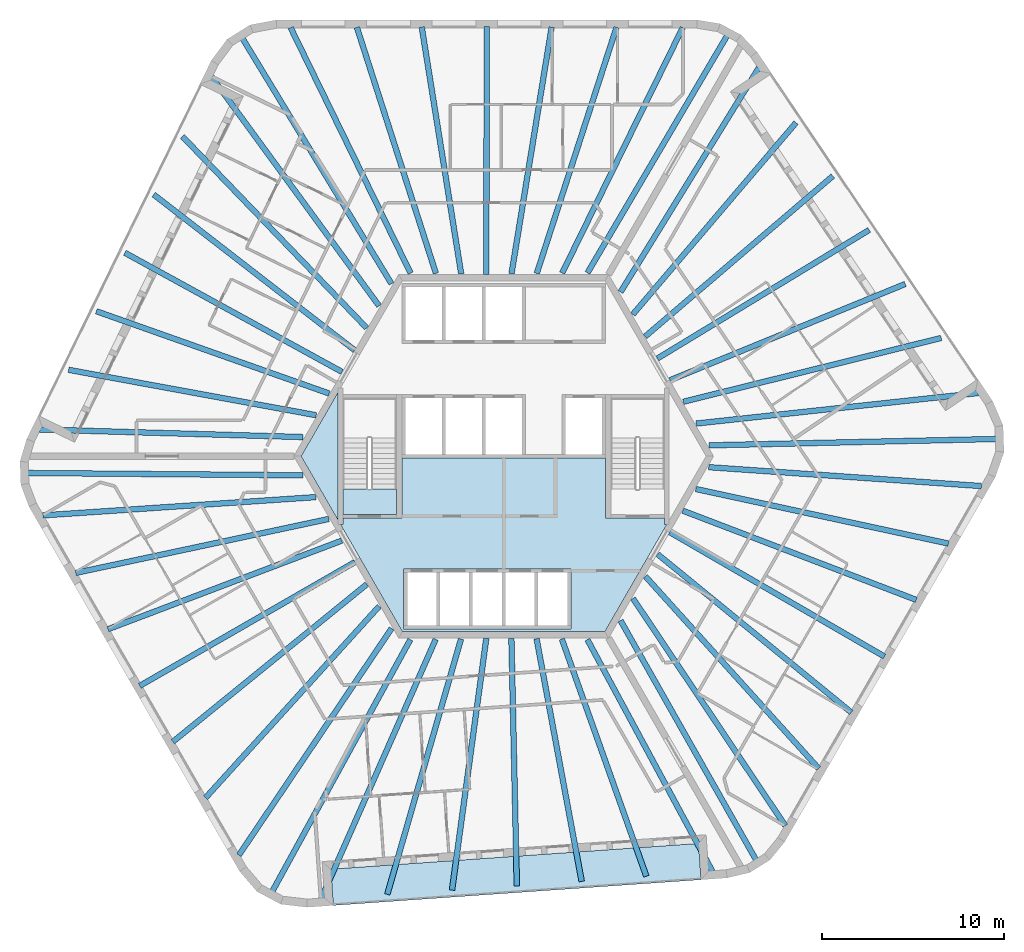
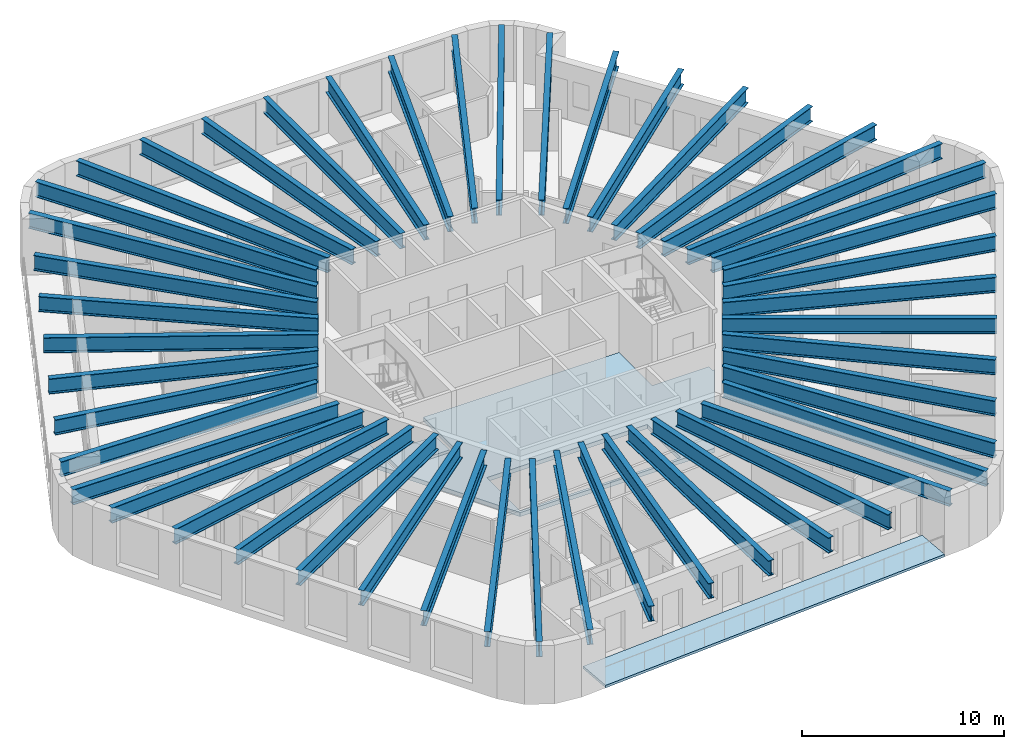
# One storey, part 1 of 11: 48 beams, 4 slabs.
"""IFC4 building model written with IfcOpenShell, lengths in metres."""

import ifcopenshell
import ifcopenshell.guid

model = None  # the IFC model being written
_history = None  # IfcOwnerHistory: only IFC2X3 demands one
_inside = {}  # id of a spatial element -> (the spatial element, [elements in it])
_under = {}  # id of a project, library or spatial element -> (it, [spatial elements below it])
_declared = {}  # id of a project -> (the project, [libraries it declares])
_typed = {}  # id of a type object -> (the type object, [elements of that type])
_made_of = {}  # id of a material, layer set ... -> (it, [elements and type objects made of it])


def new_model(schema):
    """Start an empty IFC model of exactly this schema.

    Asked for "IFC4X3", IfcOpenShell would pick the latest addendum, in which some entities
    have other attributes; the version numbers below select the first issue.
    IFC2X3 requires an IfcOwnerHistory on every rooted entity: one is made here for all.
    """
    global model, _history
    if schema == "IFC4X3":
        model = ifcopenshell.file(schema_version=(4, 3, 0, 0))
    else:
        model = ifcopenshell.file(schema=schema)
    _inside.clear()
    _under.clear()
    _declared.clear()
    _typed.clear()
    _made_of.clear()
    _history = None
    if model.schema == "IFC2X3":
        org = make("IfcOrganization", Name="unknown")
        user = make(
            "IfcPersonAndOrganization",
            ThePerson=make("IfcPerson", FamilyName="unknown"),
            TheOrganization=org,
        )
        app = make(
            "IfcApplication",
            ApplicationDeveloper=org,
            Version="unknown",
            ApplicationFullName="unknown",
            ApplicationIdentifier="unknown",
        )
        _history = make(
            "IfcOwnerHistory",
            OwningUser=user,
            OwningApplication=app,
            ChangeAction="ADDED",
            CreationDate=0,
        )
    return model


def make(cls, **values):
    """One entity of the class cls with the attributes given. An attribute that is None is left unset."""
    return model.create_entity(
        cls, **{name: value for name, value in values.items() if value is not None}
    )


def rooted(cls, **values):
    """An entity with a GlobalId (a new one), such as an element, a storey or a relation."""
    return make(cls, GlobalId=ifcopenshell.guid.new(), OwnerHistory=_history, **values)


def si_unit(unit_type, name, prefix=None):
    """IfcSIUnit, for example si_unit("LENGTHUNIT", "METRE", prefix="MILLI")."""
    return make("IfcSIUnit", UnitType=unit_type, Prefix=prefix, Name=name)


def assignment(units):
    """IfcUnitAssignment: the units of a project."""
    return None if units is None else make("IfcUnitAssignment", Units=units)


def point(xyz):
    """IfcCartesianPoint."""
    return None if xyz is None else make("IfcCartesianPoint", Coordinates=xyz)


def direction(xyz):
    """IfcDirection."""
    return None if xyz is None else make("IfcDirection", DirectionRatios=xyz)


def frame(location, z_axis=None, x_axis=None):
    """IfcAxis2Placement3D, a coordinate frame: its origin and axes. An axis left out is left unset."""
    return make(
        "IfcAxis2Placement3D",
        Location=point(location),
        Axis=direction(z_axis),
        RefDirection=direction(x_axis),
    )


def frame_2d(location, x_axis=None):
    """IfcAxis2Placement2D, a coordinate frame in the plane: its origin and x axis."""
    return make(
        "IfcAxis2Placement2D", Location=point(location), RefDirection=direction(x_axis)
    )


def origin():
    """The frame at (0, 0, 0) with its axes left unset."""
    return frame((0.0, 0.0, 0.0))


def origin_2d():
    """The frame at (0, 0) in the plane with its x axis left unset."""
    return frame_2d((0.0, 0.0))


def place(relative_to, where):
    """IfcLocalPlacement: puts the frame where relative to a parent placement (None: the world)."""
    return make(
        "IfcLocalPlacement", PlacementRelTo=relative_to, RelativePlacement=where
    )


def context(
    kind, dimensions, precision=None, world=None, true_north=None, identifier=None
):
    """IfcGeometricRepresentationContext, for example the 3D "Model" context."""
    return make(
        "IfcGeometricRepresentationContext",
        ContextIdentifier=identifier,
        ContextType=kind,
        CoordinateSpaceDimension=dimensions,
        Precision=precision,
        WorldCoordinateSystem=world,
        TrueNorth=true_north,
    )


def subcontext(parent, identifier, kind, view, scale=None):
    """IfcGeometricRepresentationSubContext, for example "Body" below "Model"."""
    return make(
        "IfcGeometricRepresentationSubContext",
        ContextIdentifier=identifier,
        ContextType=kind,
        ParentContext=parent,
        TargetScale=scale,
        TargetView=view,
    )


def project(units=None, contexts=None):
    """IfcProject with its units and contexts."""
    return rooted(
        "IfcProject",
        Name="project",
        RepresentationContexts=contexts,
        UnitsInContext=assignment(units),
    )


def spatial(cls, under=None, at=None, **own):
    """A site, building, storey or space (cls), placed at a placement, below another one or the project."""
    s = rooted(cls, ObjectPlacement=at, **own)
    if under is not None:
        _under.setdefault(under.id(), (under, []))[1].append(s)
    return s


def polyline(points):
    """IfcPolyline through the points."""
    return make("IfcPolyline", Points=[point(p) for p in points])


def profile(cls, at=None, kind="AREA", **sizes):
    """A parametric profile (cls). Its sizes go by their IFC names, for example OverallWidth=200.0."""
    return make(cls, ProfileType=kind, Position=at, **sizes)


def i_section(**sizes):
    """IfcIShapeProfileDef."""
    return profile("IfcIShapeProfileDef", **sizes)


def outline(outer, holes=None, kind="AREA"):
    """IfcArbitraryClosedProfileDef: a profile drawn as a closed curve; with holes, ...WithVoids."""
    if holes is None:
        return make("IfcArbitraryClosedProfileDef", ProfileType=kind, OuterCurve=outer)
    return make(
        "IfcArbitraryProfileDefWithVoids",
        ProfileType=kind,
        OuterCurve=outer,
        InnerCurves=holes,
    )


def extrude(swept, where, along, depth):
    """IfcExtrudedAreaSolid: the profile swept, set in the frame where, extruded along a direction by depth."""
    return make(
        "IfcExtrudedAreaSolid",
        SweptArea=swept,
        Position=where,
        ExtrudedDirection=direction(along),
        Depth=depth,
    )


def shape(context_of_items, identifier, shape_type, items):
    """IfcShapeRepresentation: the items that make up one representation, for example the "Body"."""
    return make(
        "IfcShapeRepresentation",
        ContextOfItems=context_of_items,
        RepresentationIdentifier=identifier,
        RepresentationType=shape_type,
        Items=items,
    )


def material(Name=None, Category=None):
    """IfcMaterial."""
    return make("IfcMaterial", Name=Name, Category=Category)


def layer(
    of_material, thickness, ventilated=None, Name=None, Category=None, Priority=None
):
    """IfcMaterialLayer: one layer of a wall or slab, of a material (None: an air gap)."""
    return make(
        "IfcMaterialLayer",
        Material=of_material,
        LayerThickness=thickness,
        IsVentilated=ventilated,
        Name=Name,
        Category=Category,
        Priority=Priority,
    )


def layer_set(layers, Name=None):
    """IfcMaterialLayerSet."""
    return make("IfcMaterialLayerSet", MaterialLayers=layers, LayerSetName=Name)


def material_profile(
    of_material, cross_section, Name=None, Category=None, Priority=None
):
    """IfcMaterialProfile: a cross section and its material."""
    return make(
        "IfcMaterialProfile",
        Name=Name,
        Material=of_material,
        Profile=cross_section,
        Priority=Priority,
        Category=Category,
    )


def profile_set(profiles, Name=None, composite=None):
    """IfcMaterialProfileSet."""
    return make(
        "IfcMaterialProfileSet",
        Name=Name,
        MaterialProfiles=profiles,
        CompositeProfile=composite,
    )


def made_of(thing, what):
    """Note that an element or type object is made of a material, layer set ...; save() writes the relation."""
    if what is not None:
        _made_of.setdefault(what.id(), (what, []))[1].append(thing)
    return thing


def type_object(cls, material=None, **own):
    """A type object (cls), such as IfcWallType, which elements share."""
    return made_of(rooted(cls, **own), material)


def element(
    cls,
    number,
    at=None,
    inside=None,
    cuts=None,
    type_object=None,
    material=None,
    context=None,
    identifier="Body",
    shape_type=None,
    held_by="IfcProductDefinitionShape",
    body=None,
    shapes=None,
    **own,
):
    """One element of the class cls, such as IfcWall. Its Tag is "e" and its number.

    at: its placement. inside: the storey or other place that contains it. cuts: it is an
    opening in that element (IfcRelVoidsElement). A single representation is given by context,
    identifier, shape_type and body (its items); several are given by shapes. held_by: the class
    of the entity that holds the representations. save() writes the other relations.
    """
    e = rooted(cls, Tag="e%d" % number, ObjectPlacement=at, **own)
    if body is not None:
        shapes = [shape(context, identifier, shape_type, body)]
    if shapes is not None:
        e.Representation = make(held_by, Representations=shapes)
    if inside is not None:
        _inside.setdefault(inside.id(), (inside, []))[1].append(e)
    if cuts is not None:
        rooted(
            "IfcRelVoidsElement", RelatingBuildingElement=cuts, RelatedOpeningElement=e
        )
    if type_object is not None:
        _typed.setdefault(type_object.id(), (type_object, []))[1].append(e)
    return made_of(e, material)


def aggregate(whole, parts):
    """IfcRelAggregates: a whole, such as a stair, and the parts it consists of."""
    return rooted("IfcRelAggregates", RelatingObject=whole, RelatedObjects=parts)


def save(model, path):
    """Write the relations noted so far, then the file.

    IfcRelAggregates (storeys below a building ...), IfcRelContainedInSpatialStructure (elements
    in a storey), IfcRelDefinesByType, IfcRelAssociatesMaterial and IfcRelDeclares: one each for
    every whole, place, type object, material and project.
    """
    for whole, parts in _under.values():
        aggregate(whole, parts)
    for where, things in _inside.values():
        rooted(
            "IfcRelContainedInSpatialStructure",
            RelatedElements=things,
            RelatingStructure=where,
        )
    for kind, things in _typed.values():
        rooted("IfcRelDefinesByType", RelatedObjects=things, RelatingType=kind)
    for what, things in _made_of.values():
        rooted("IfcRelAssociatesMaterial", RelatedObjects=things, RelatingMaterial=what)
    for by, libraries in _declared.values():
        rooted("IfcRelDeclares", RelatingContext=by, RelatedDefinitions=libraries)
    model.write(path)


model = new_model("IFC4")

# Units and contexts
model_context = context("Model", 3, precision=1e-05, world=origin(), true_north=direction((0.0, 1.0)))
body_context = subcontext(model_context, "Body", "Model", "MODEL_VIEW")
ifc_project = project(units=[si_unit("LENGTHUNIT", "METRE"), si_unit("AREAUNIT", "SQUARE_METRE"), si_unit("VOLUMEUNIT", "CUBIC_METRE"), si_unit("PLANEANGLEUNIT", "RADIAN"), si_unit("MASSUNIT", "GRAM", prefix="KILO")], contexts=[model_context])

# Site, building, storey
site_placement = place(None, origin())
site = spatial("IfcSite", under=ifc_project, at=site_placement, CompositionType="ELEMENT")
building_placement = place(site_placement, origin())
building = spatial("IfcBuilding", under=site, at=building_placement, Name="Tarnside Tower", CompositionType="ELEMENT")
storey_placement = place(building_placement, frame((0.0, 0.0, 372.89990234375)))
storey = spatial("IfcBuildingStorey", under=building, at=storey_placement, Name="L90", CompositionType="ELEMENT", Elevation=372.89990234375)

# Beams
ifc_material_1 = material(Name="Steel S355", Category="steel")
ifc_material_profile = material_profile(ifc_material_1, i_section(OverallWidth=0.3076171875, OverallDepth=0.926513671875, WebThickness=0.01953125, FlangeThickness=0.031982421875, FilletRadius=0.01904296875, at=origin_2d()), Name="UB 914x305x289")
ifc_profile_set = profile_set([ifc_material_profile], Name="Steel S355")
beam_type = type_object("IfcBeamType", Name="Floor beam UB 914x305x289", PredefinedType="BEAM", material=ifc_profile_set)
beam_1_placement = place(storey_placement, frame((9.85693359375, 23.583251953125, 2.936767578125), z_axis=(-0.441034060351, -0.897490366305, 0.0), x_axis=(0.897490366305, -0.441034060351, 0.0)))
element("IfcBeam", 1, at=beam_1_placement, inside=storey, type_object=beam_type, Name="Floor beam F1.01", PredefinedType="BEAM", context=body_context, shape_type="SweptSolid", body=[
    extrude(i_section(OverallWidth=0.3076171875, OverallDepth=0.926513671875, WebThickness=0.01953125, FlangeThickness=0.031982421875, FilletRadius=0.01904296875, at=origin_2d()), origin(), (0.0, 0.0, 1.0), 15.0546875),
])
beam_2_placement = place(storey_placement, frame((6.2109375, 23.597900390625, 2.936767578125), z_axis=(-0.30830293966, -0.951288230452, 0.0), x_axis=(0.951288230452, -0.30830293966, 0.0)))
element("IfcBeam", 2, at=beam_2_placement, inside=storey, type_object=beam_type, Name="Floor beam F1.02", PredefinedType="BEAM", context=body_context, shape_type="SweptSolid", body=[
    extrude(i_section(OverallWidth=0.3076171875, OverallDepth=0.926513671875, WebThickness=0.01953125, FlangeThickness=0.031982421875, FilletRadius=0.01904296875, at=origin_2d()), origin(), (0.0, 0.0, 1.0), 14.234130859375),
])
beam_3_placement = place(storey_placement, frame((2.642333984375, 23.615478515625, 2.936767578125), z_axis=(-0.160635791126, -0.98701374996, 0.0), x_axis=(0.98701374996, -0.160635791126, 0.0)))
element("IfcBeam", 3, at=beam_3_placement, inside=storey, type_object=beam_type, Name="Floor beam F1.03", PredefinedType="BEAM", context=body_context, shape_type="SweptSolid", body=[
    extrude(i_section(OverallWidth=0.3076171875, OverallDepth=0.926513671875, WebThickness=0.01953125, FlangeThickness=0.031982421875, FilletRadius=0.01904296875, at=origin_2d()), origin(), (0.0, 0.0, 1.0), 13.754638671875),
])
beam_4_placement = place(storey_placement, frame((-0.931884765625, 23.655029296875, 2.936767578125), z_axis=(-0.001430332341, -0.999998977074, 0.0), x_axis=(0.999998977074, -0.001430332341, 0.0)))
element("IfcBeam", 4, at=beam_4_placement, inside=storey, type_object=beam_type, Name="Floor beam F1.04", PredefinedType="BEAM", context=body_context, shape_type="SweptSolid", body=[
    extrude(i_section(OverallWidth=0.3076171875, OverallDepth=0.926513671875, WebThickness=0.01953125, FlangeThickness=0.031982421875, FilletRadius=0.01904296875, at=origin_2d()), origin(), (0.0, 0.0, 1.0), 13.655029296875),
])
beam_5_placement = place(storey_placement, frame((-4.506103515625, 23.615478515625, 2.936767578125), z_axis=(0.157884535209, -0.987457580629, 0.0), x_axis=(0.987457580629, 0.157884535209, 0.0)))
element("IfcBeam", 5, at=beam_5_placement, inside=storey, type_object=beam_type, Name="Floor beam F1.05", PredefinedType="BEAM", context=body_context, shape_type="SweptSolid", body=[
    extrude(i_section(OverallWidth=0.3076171875, OverallDepth=0.926513671875, WebThickness=0.01953125, FlangeThickness=0.031982421875, FilletRadius=0.01904296875, at=origin_2d()), origin(), (0.0, 0.0, 1.0), 13.748291015625),
])
beam_6_placement = place(storey_placement, frame((-8.07470703125, 23.597900390625, 2.936767578125), z_axis=(0.305831917368, -0.952085520486, 0.0), x_axis=(0.952085520486, 0.305831917368, 0.0)))
element("IfcBeam", 6, at=beam_6_placement, inside=storey, type_object=beam_type, Name="Floor beam F1.06", PredefinedType="BEAM", context=body_context, shape_type="SweptSolid", body=[
    extrude(i_section(OverallWidth=0.3076171875, OverallDepth=0.926513671875, WebThickness=0.01953125, FlangeThickness=0.031982421875, FilletRadius=0.01904296875, at=origin_2d()), origin(), (0.0, 0.0, 1.0), 14.22216796875),
])
beam_7_placement = place(storey_placement, frame((-11.720703125, 23.5830078125, 2.936767578125), z_axis=(0.438979492364, -0.8984970814, 0.0), x_axis=(0.8984970814, 0.438979492364, 0.0)))
element("IfcBeam", 7, at=beam_7_placement, inside=storey, type_object=beam_type, Name="Floor beam F1.07", PredefinedType="BEAM", context=body_context, shape_type="SweptSolid", body=[
    extrude(i_section(OverallWidth=0.3076171875, OverallDepth=0.926513671875, WebThickness=0.01953125, FlangeThickness=0.031982421875, FilletRadius=0.01904296875, at=origin_2d()), origin(), (0.0, 0.0, 1.0), 15.037353515625),
])
beam_8_placement = place(storey_placement, frame((-14.40087890625, 23.04345703125, 2.936767578125), z_axis=(0.519046028044, -0.854746290294, 0.0), x_axis=(0.854746290294, 0.519046028044, 0.0)))
element("IfcBeam", 8, at=beam_8_placement, inside=storey, type_object=beam_type, Name="Floor beam C1", PredefinedType="BEAM", context=body_context, shape_type="SweptSolid", body=[
    extrude(i_section(OverallWidth=0.3076171875, OverallDepth=0.926513671875, WebThickness=0.01953125, FlangeThickness=0.031982421875, FilletRadius=0.01904296875, at=origin_2d()), origin(), (0.0, 0.0, 1.0), 15.85791015625),
])
beam_9_placement = place(storey_placement, frame((-16.0625, 20.866943359375, 2.936767578125), z_axis=(0.59029318697, -0.807188920524, 0.0), x_axis=(0.807188920524, 0.59029318697, 0.0)))
element("IfcBeam", 9, at=beam_9_placement, inside=storey, type_object=beam_type, Name="Floor beam F2.01", PredefinedType="BEAM", context=body_context, shape_type="SweptSolid", body=[
    extrude(i_section(OverallWidth=0.3076171875, OverallDepth=0.926513671875, WebThickness=0.01953125, FlangeThickness=0.031982421875, FilletRadius=0.01904296875, at=origin_2d()), origin(), (0.0, 0.0, 1.0), 15.599853515625),
])
beam_10_placement = place(storey_placement, frame((-17.674072265625, 17.595703125, 2.936767578125), z_axis=(0.693340617436, -0.72061001118, 0.0), x_axis=(0.72061001118, 0.693340617436, 0.0)))
element("IfcBeam", 10, at=beam_10_placement, inside=storey, type_object=beam_type, Name="Floor beam F2.02", PredefinedType="BEAM", context=body_context, shape_type="SweptSolid", body=[
    extrude(i_section(OverallWidth=0.3076171875, OverallDepth=0.926513671875, WebThickness=0.01953125, FlangeThickness=0.031982421875, FilletRadius=0.01904296875, at=origin_2d()), origin(), (0.0, 0.0, 1.0), 14.6201171875),
])
beam_11_placement = place(storey_placement, frame((-19.25390625, 14.395751953125, 2.936767578125), z_axis=(0.790652803643, -0.612264766333, 0.0), x_axis=(0.612264766333, 0.790652803643, 0.0)))
element("IfcBeam", 11, at=beam_11_placement, inside=storey, type_object=beam_type, Name="Floor beam F2.03", PredefinedType="BEAM", context=body_context, shape_type="SweptSolid", body=[
    extrude(i_section(OverallWidth=0.3076171875, OverallDepth=0.926513671875, WebThickness=0.01953125, FlangeThickness=0.031982421875, FilletRadius=0.01904296875, at=origin_2d()), origin(), (0.0, 0.0, 1.0), 13.980224609375),
])
beam_12_placement = place(storey_placement, frame((-20.837646484375, 11.192138671875, 2.936767578125), z_axis=(0.876799005399, -0.48085705166, 0.0), x_axis=(0.48085705166, 0.876799005399, 0.0)))
element("IfcBeam", 12, at=beam_12_placement, inside=storey, type_object=beam_type, Name="Floor beam F2.04", PredefinedType="BEAM", context=body_context, shape_type="SweptSolid", body=[
    extrude(i_section(OverallWidth=0.3076171875, OverallDepth=0.926513671875, WebThickness=0.01953125, FlangeThickness=0.031982421875, FilletRadius=0.01904296875, at=origin_2d()), origin(), (0.0, 0.0, 1.0), 13.625244140625),
])
beam_13_placement = place(storey_placement, frame((-22.40576171875, 7.97705078125, 2.936767578125), z_axis=(0.942840573103, -0.3332441353, 0.0), x_axis=(0.3332441353, 0.942840573103, 0.0)))
element("IfcBeam", 13, at=beam_13_placement, inside=storey, type_object=beam_type, Name="Floor beam F2.05", PredefinedType="BEAM", context=body_context, shape_type="SweptSolid", body=[
    extrude(i_section(OverallWidth=0.3076171875, OverallDepth=0.926513671875, WebThickness=0.01953125, FlangeThickness=0.031982421875, FilletRadius=0.01904296875, at=origin_2d()), origin(), (0.0, 0.0, 1.0), 13.58203125),
])
beam_14_placement = place(storey_placement, frame((-23.935302734375, 4.7548828125, 2.936767578125), z_axis=(0.983582999256, -0.180456320409, 0.0), x_axis=(0.180456320409, 0.983582999256, 0.0)))
element("IfcBeam", 14, at=beam_14_placement, inside=storey, type_object=beam_type, Name="Floor beam F2.06", PredefinedType="BEAM", context=body_context, shape_type="SweptSolid", body=[
    extrude(i_section(OverallWidth=0.3076171875, OverallDepth=0.926513671875, WebThickness=0.01953125, FlangeThickness=0.031982421875, FilletRadius=0.01904296875, at=origin_2d()), origin(), (0.0, 0.0, 1.0), 13.852294921875),
])
beam_15_placement = place(storey_placement, frame((-25.51953125, 1.471923828125, 2.936767578125), z_axis=(0.999584115748, -0.028837398362, 0.0), x_axis=(0.028837398362, 0.999584115748, 0.0)))
element("IfcBeam", 15, at=beam_15_placement, inside=storey, type_object=beam_type, Name="Floor beam F2.07", PredefinedType="BEAM", context=body_context, shape_type="SweptSolid", body=[
    extrude(i_section(OverallWidth=0.3076171875, OverallDepth=0.926513671875, WebThickness=0.01953125, FlangeThickness=0.031982421875, FilletRadius=0.01904296875, at=origin_2d()), origin(), (0.0, 0.0, 1.0), 14.485595703125),
])
beam_16_placement = place(storey_placement, frame((-26.22021484375, -0.921630859375, 2.936767578125), z_axis=(0.999964083473, -0.008475362218, 0.0), x_axis=(0.008475362218, 0.999964083473, 0.0)))
element("IfcBeam", 16, at=beam_16_placement, inside=storey, type_object=beam_type, Name="Floor beam C2", PredefinedType="BEAM", context=body_context, shape_type="SweptSolid", body=[
    extrude(i_section(OverallWidth=0.3076171875, OverallDepth=0.926513671875, WebThickness=0.01953125, FlangeThickness=0.031982421875, FilletRadius=0.01904296875, at=origin_2d()), origin(), (0.0, 0.0, 1.0), 15.1806640625),
])
beam_17_placement = place(storey_placement, frame((-25.352294921875, -3.255126953125, 2.936767578125), z_axis=(0.997767686988, 0.066780557073, 0.0), x_axis=(-0.066780557073, 0.997767686988, 0.0)))
element("IfcBeam", 17, at=beam_17_placement, inside=storey, type_object=beam_type, Name="Floor beam F3.01", PredefinedType="BEAM", context=body_context, shape_type="SweptSolid", body=[
    extrude(i_section(OverallWidth=0.3076171875, OverallDepth=0.926513671875, WebThickness=0.01953125, FlangeThickness=0.031982421875, FilletRadius=0.01904296875, at=origin_2d()), origin(), (0.0, 0.0, 1.0), 15.054931640625),
])
beam_18_placement = place(storey_placement, frame((-23.5419921875, -6.420166015625, 2.936767578125), z_axis=(0.977990269865, 0.208650502155, 0.0), x_axis=(-0.208650502155, 0.977990269865, 0.0)))
element("IfcBeam", 18, at=beam_18_placement, inside=storey, type_object=beam_type, Name="Floor beam F3.02", PredefinedType="BEAM", context=body_context, shape_type="SweptSolid", body=[
    extrude(i_section(OverallWidth=0.3076171875, OverallDepth=0.926513671875, WebThickness=0.01953125, FlangeThickness=0.031982421875, FilletRadius=0.01904296875, at=origin_2d()), origin(), (0.0, 0.0, 1.0), 14.234130859375),
])
beam_19_placement = place(storey_placement, frame((-21.77294921875, -9.519287109375, 2.936767578125), z_axis=(0.935104645744, 0.354371699643, 0.0), x_axis=(-0.354371699643, 0.935104645744, 0.0)))
element("IfcBeam", 19, at=beam_19_placement, inside=storey, type_object=beam_type, Name="Floor beam F3.03", PredefinedType="BEAM", context=body_context, shape_type="SweptSolid", body=[
    extrude(i_section(OverallWidth=0.3076171875, OverallDepth=0.926513671875, WebThickness=0.01953125, FlangeThickness=0.031982421875, FilletRadius=0.01904296875, at=origin_2d()), origin(), (0.0, 0.0, 1.0), 13.754638671875),
])
beam_20_placement = place(storey_placement, frame((-20.02001953125, -12.634521484375, 2.936767578125), z_axis=(0.866742850435, 0.498755281896, 0.0), x_axis=(-0.498755281896, 0.866742850435, 0.0)))
element("IfcBeam", 20, at=beam_20_placement, inside=storey, type_object=beam_type, Name="Floor beam F3.04", PredefinedType="BEAM", context=body_context, shape_type="SweptSolid", body=[
    extrude(i_section(OverallWidth=0.3076171875, OverallDepth=0.926513671875, WebThickness=0.01953125, FlangeThickness=0.031982421875, FilletRadius=0.01904296875, at=origin_2d()), origin(), (0.0, 0.0, 1.0), 13.655029296875),
])
beam_21_placement = place(storey_placement, frame((-18.198486328125, -15.710205078125, 2.936767578125), z_axis=(0.776218278583, 0.630464260679, 0.0), x_axis=(-0.630464260679, 0.776218278583, 0.0)))
element("IfcBeam", 21, at=beam_21_placement, inside=storey, type_object=beam_type, Name="Floor beam F3.05", PredefinedType="BEAM", context=body_context, shape_type="SweptSolid", body=[
    extrude(i_section(OverallWidth=0.3076171875, OverallDepth=0.926513671875, WebThickness=0.01953125, FlangeThickness=0.031982421875, FilletRadius=0.01904296875, at=origin_2d()), origin(), (0.0, 0.0, 1.0), 13.74853515625),
])
beam_22_placement = place(storey_placement, frame((-16.39892578125, -18.791748046875, 2.936767578125), z_axis=(0.671616029188, 0.740899392183, 0.0), x_axis=(-0.740899392183, 0.671616029188, 0.0)))
element("IfcBeam", 22, at=beam_22_placement, inside=storey, type_object=beam_type, Name="Floor beam F3.06", PredefinedType="BEAM", context=body_context, shape_type="SweptSolid", body=[
    extrude(i_section(OverallWidth=0.3076171875, OverallDepth=0.926513671875, WebThickness=0.01953125, FlangeThickness=0.031982421875, FilletRadius=0.01904296875, at=origin_2d()), origin(), (0.0, 0.0, 1.0), 14.22216796875),
])
beam_23_placement = place(storey_placement, frame((-14.563232421875, -21.94189453125, 2.936767578125), z_axis=(0.558646652055, 0.829405762065, 0.0), x_axis=(-0.829405762065, 0.558646652055, 0.0)))
element("IfcBeam", 23, at=beam_23_placement, inside=storey, type_object=beam_type, Name="Floor beam F3.07", PredefinedType="BEAM", context=body_context, shape_type="SweptSolid", body=[
    extrude(i_section(OverallWidth=0.3076171875, OverallDepth=0.926513671875, WebThickness=0.01953125, FlangeThickness=0.031982421875, FilletRadius=0.01904296875, at=origin_2d()), origin(), (0.0, 0.0, 1.0), 15.037353515625),
])
beam_24_placement = place(storey_placement, frame((-12.755859375, -23.993408203125, 2.936767578125), z_axis=(0.480702029321, 0.876884005446, 0.0), x_axis=(-0.876884005446, 0.480702029321, 0.0)))
element("IfcBeam", 24, at=beam_24_placement, inside=storey, type_object=beam_type, Name="Floor beam C3", PredefinedType="BEAM", context=body_context, shape_type="SweptSolid", body=[
    extrude(i_section(OverallWidth=0.3076171875, OverallDepth=0.926513671875, WebThickness=0.01953125, FlangeThickness=0.031982421875, FilletRadius=0.01904296875, at=origin_2d()), origin(), (0.0, 0.0, 1.0), 15.858154296875),
])
beam_25_placement = place(storey_placement, frame((-10.0400390625, -24.343994140625, 2.936767578125), z_axis=(0.403901042387, 0.914802682527, 0.0), x_axis=(-0.914802682527, 0.403901042387, 0.0)))
element("IfcBeam", 25, at=beam_25_placement, inside=storey, type_object=beam_type, Name="Floor beam F4.01", PredefinedType="BEAM", context=body_context, shape_type="SweptSolid", body=[
    extrude(i_section(OverallWidth=0.3076171875, OverallDepth=0.926513671875, WebThickness=0.01953125, FlangeThickness=0.031982421875, FilletRadius=0.01904296875, at=origin_2d()), origin(), (0.0, 0.0, 1.0), 15.599853515625),
])
beam_26_placement = place(storey_placement, frame((-6.401123046875, -24.10400390625, 2.936767578125), z_axis=(0.277386550057, 0.960758399312, 0.0), x_axis=(-0.960758399312, 0.277386550057, 0.0)))
element("IfcBeam", 26, at=beam_26_placement, inside=storey, type_object=beam_type, Name="Floor beam F4.02", PredefinedType="BEAM", context=body_context, shape_type="SweptSolid", body=[
    extrude(i_section(OverallWidth=0.3076171875, OverallDepth=0.926513671875, WebThickness=0.01953125, FlangeThickness=0.031982421875, FilletRadius=0.01904296875, at=origin_2d()), origin(), (0.0, 0.0, 1.0), 14.6201171875),
])
beam_27_placement = place(storey_placement, frame((-2.840087890625, -23.8720703125, 2.936767578125), z_axis=(0.134905128148, 0.99085851987, 0.0), x_axis=(-0.99085851987, 0.134905128148, 0.0)))
element("IfcBeam", 27, at=beam_27_placement, inside=storey, type_object=beam_type, Name="Floor beam F4.03", PredefinedType="BEAM", context=body_context, shape_type="SweptSolid", body=[
    extrude(i_section(OverallWidth=0.3076171875, OverallDepth=0.926513671875, WebThickness=0.01953125, FlangeThickness=0.031982421875, FilletRadius=0.01904296875, at=origin_2d()), origin(), (0.0, 0.0, 1.0), 13.97998046875),
])
beam_28_placement = place(storey_placement, frame((0.72607421875, -23.64208984375, 2.936767578125), z_axis=(-0.021967598853, 0.999758683183, 0.0), x_axis=(-0.999758683183, -0.021967598853, 0.0)))
element("IfcBeam", 28, at=beam_28_placement, inside=storey, type_object=beam_type, Name="Floor beam F4.04", PredefinedType="BEAM", context=body_context, shape_type="SweptSolid", body=[
    extrude(i_section(OverallWidth=0.3076171875, OverallDepth=0.926513671875, WebThickness=0.01953125, FlangeThickness=0.031982421875, FilletRadius=0.01904296875, at=origin_2d()), origin(), (0.0, 0.0, 1.0), 13.625244140625),
])
beam_29_placement = place(storey_placement, frame((4.294677734375, -23.392578125, 2.936767578125), z_axis=(-0.182841653526, 0.983142375109, 0.0), x_axis=(-0.983142375109, -0.182841653526, 0.0)))
element("IfcBeam", 29, at=beam_29_placement, inside=storey, type_object=beam_type, Name="Floor beam F4.05", PredefinedType="BEAM", context=body_context, shape_type="SweptSolid", body=[
    extrude(i_section(OverallWidth=0.3076171875, OverallDepth=0.926513671875, WebThickness=0.01953125, FlangeThickness=0.031982421875, FilletRadius=0.01904296875, at=origin_2d()), origin(), (0.0, 0.0, 1.0), 13.582275390625),
])
beam_30_placement = place(storey_placement, frame((7.849609375, -23.10595703125, 2.936767578125), z_axis=(-0.335513430029, 0.942035423044, 0.0), x_axis=(-0.942035423044, -0.335513430029, 0.0)))
element("IfcBeam", 30, at=beam_30_placement, inside=storey, type_object=beam_type, Name="Floor beam F4.06", PredefinedType="BEAM", context=body_context, shape_type="SweptSolid", body=[
    extrude(i_section(OverallWidth=0.3076171875, OverallDepth=0.926513671875, WebThickness=0.01953125, FlangeThickness=0.031982421875, FilletRadius=0.01904296875, at=origin_2d()), origin(), (0.0, 0.0, 1.0), 13.8525390625),
])
beam_31_placement = place(storey_placement, frame((11.485107421875, -22.836669921875, 2.936767578125), z_axis=(-0.474806217134, 0.880090368185, 0.0), x_axis=(-0.880090368185, -0.474806217134, 0.0)))
element("IfcBeam", 31, at=beam_31_placement, inside=storey, type_object=beam_type, Name="Floor beam F4.07", PredefinedType="BEAM", context=body_context, shape_type="SweptSolid", body=[
    extrude(i_section(OverallWidth=0.3076171875, OverallDepth=0.926513671875, WebThickness=0.01953125, FlangeThickness=0.031982421875, FilletRadius=0.01904296875, at=origin_2d()), origin(), (0.0, 0.0, 1.0), 14.48583984375),
])
beam_32_placement = place(storey_placement, frame((13.908447265625, -22.24658203125, 2.936767578125), z_axis=(-0.492648547162, 0.870228365993, 0.0), x_axis=(-0.870228365993, -0.492648547162, 0.0)))
element("IfcBeam", 32, at=beam_32_placement, inside=storey, type_object=beam_type, Name="Floor beam C4", PredefinedType="BEAM", context=body_context, shape_type="SweptSolid", body=[
    extrude(i_section(OverallWidth=0.3076171875, OverallDepth=0.926513671875, WebThickness=0.01953125, FlangeThickness=0.031982421875, FilletRadius=0.01904296875, at=origin_2d()), origin(), (0.0, 0.0, 1.0), 15.1806640625),
])
beam_33_placement = place(storey_placement, frame((15.4951171875, -20.327880859375, 2.936767578125), z_axis=(-0.556715719888, 0.830703080065, 0.0), x_axis=(-0.830703080065, -0.556715719888, 0.0)))
element("IfcBeam", 33, at=beam_33_placement, inside=storey, type_object=beam_type, Name="Floor beam F5.01", PredefinedType="BEAM", context=body_context, shape_type="SweptSolid", body=[
    extrude(i_section(OverallWidth=0.3076171875, OverallDepth=0.926513671875, WebThickness=0.01953125, FlangeThickness=0.031982421875, FilletRadius=0.01904296875, at=origin_2d()), origin(), (0.0, 0.0, 1.0), 15.054443359375),
])
beam_34_placement = place(storey_placement, frame((17.330810546875, -17.177734375, 2.936767578125), z_axis=(-0.669692178112, 0.742638799536, 0.0), x_axis=(-0.742638799536, -0.669692178112, 0.0)))
element("IfcBeam", 34, at=beam_34_placement, inside=storey, type_object=beam_type, Name="Floor beam F5.02", PredefinedType="BEAM", context=body_context, shape_type="SweptSolid", body=[
    extrude(i_section(OverallWidth=0.3076171875, OverallDepth=0.926513671875, WebThickness=0.01953125, FlangeThickness=0.031982421875, FilletRadius=0.01904296875, at=origin_2d()), origin(), (0.0, 0.0, 1.0), 14.234130859375),
])
beam_35_placement = place(storey_placement, frame((19.13037109375, -14.09619140625, 2.936767578125), z_axis=(-0.774452119366, 0.632632527467, 0.0), x_axis=(-0.632632527467, -0.774452119366, 0.0)))
element("IfcBeam", 35, at=beam_35_placement, inside=storey, type_object=beam_type, Name="Floor beam F5.03", PredefinedType="BEAM", context=body_context, shape_type="SweptSolid", body=[
    extrude(i_section(OverallWidth=0.3076171875, OverallDepth=0.926513671875, WebThickness=0.01953125, FlangeThickness=0.031982421875, FilletRadius=0.01904296875, at=origin_2d()), origin(), (0.0, 0.0, 1.0), 13.754638671875),
])
beam_36_placement = place(storey_placement, frame((20.95166015625, -11.0205078125, 2.936767578125), z_axis=(-0.865304665893, 0.501246281966, 0.0), x_axis=(-0.501246281966, -0.865304665893, 0.0)))
element("IfcBeam", 36, at=beam_36_placement, inside=storey, type_object=beam_type, Name="Floor beam F5.04", PredefinedType="BEAM", context=body_context, shape_type="SweptSolid", body=[
    extrude(i_section(OverallWidth=0.3076171875, OverallDepth=0.926513671875, WebThickness=0.01953125, FlangeThickness=0.031982421875, FilletRadius=0.01904296875, at=origin_2d()), origin(), (0.0, 0.0, 1.0), 13.655029296875),
])
beam_37_placement = place(storey_placement, frame((22.70458984375, -7.9052734375, 2.936767578125), z_axis=(-0.934108273638, 0.356989822154, 0.0), x_axis=(-0.356989822154, -0.934108273638, 0.0)))
element("IfcBeam", 37, at=beam_37_placement, inside=storey, type_object=beam_type, Name="Floor beam F5.05", PredefinedType="BEAM", context=body_context, shape_type="SweptSolid", body=[
    extrude(i_section(OverallWidth=0.3076171875, OverallDepth=0.926513671875, WebThickness=0.01953125, FlangeThickness=0.031982421875, FilletRadius=0.01904296875, at=origin_2d()), origin(), (0.0, 0.0, 1.0), 13.748291015625),
])
beam_38_placement = place(storey_placement, frame((24.4736328125, -4.805908203125, 2.936767578125), z_axis=(-0.977447311978, 0.211179431541, 0.0), x_axis=(-0.211179431541, -0.977447311978, 0.0)))
element("IfcBeam", 38, at=beam_38_placement, inside=storey, type_object=beam_type, Name="Floor beam F5.06", PredefinedType="BEAM", context=body_context, shape_type="SweptSolid", body=[
    extrude(i_section(OverallWidth=0.3076171875, OverallDepth=0.926513671875, WebThickness=0.01953125, FlangeThickness=0.031982421875, FilletRadius=0.01904296875, at=origin_2d()), origin(), (0.0, 0.0, 1.0), 14.22216796875),
])
beam_39_placement = place(storey_placement, frame((26.283935546875, -1.64111328125, 2.936767578125), z_axis=(-0.997609841035, 0.069098517128, 0.0), x_axis=(-0.069098517128, -0.997609841035, 0.0)))
element("IfcBeam", 39, at=beam_39_placement, inside=storey, type_object=beam_type, Name="Floor beam F5.07", PredefinedType="BEAM", context=body_context, shape_type="SweptSolid", body=[
    extrude(i_section(OverallWidth=0.3076171875, OverallDepth=0.926513671875, WebThickness=0.01953125, FlangeThickness=0.031982421875, FilletRadius=0.01904296875, at=origin_2d()), origin(), (0.0, 0.0, 1.0), 15.037353515625),
])
beam_40_placement = place(storey_placement, frame((27.15673828125, 0.949951171875, 2.936767578125), z_axis=(-0.999754914904, -0.022138430953, 0.0), x_axis=(0.022138430953, -0.999754914904, 0.0)))
element("IfcBeam", 40, at=beam_40_placement, inside=storey, type_object=beam_type, Name="Floor beam C5", PredefinedType="BEAM", context=body_context, shape_type="SweptSolid", body=[
    extrude(i_section(OverallWidth=0.3076171875, OverallDepth=0.926513671875, WebThickness=0.01953125, FlangeThickness=0.031982421875, FilletRadius=0.01904296875, at=origin_2d()), origin(), (0.0, 0.0, 1.0), 15.858154296875),
])
beam_41_placement = place(storey_placement, frame((26.1025390625, 3.476806640625, 2.936767578125), z_axis=(-0.994194792142, -0.107595145232, 0.0), x_axis=(0.107595145232, -0.994194792142, 0.0)))
element("IfcBeam", 41, at=beam_41_placement, inside=storey, type_object=beam_type, Name="Floor beam F6.01", PredefinedType="BEAM", context=body_context, shape_type="SweptSolid", body=[
    extrude(i_section(OverallWidth=0.3076171875, OverallDepth=0.926513671875, WebThickness=0.01953125, FlangeThickness=0.031982421875, FilletRadius=0.01904296875, at=origin_2d()), origin(), (0.0, 0.0, 1.0), 15.599853515625),
])
beam_42_placement = place(storey_placement, frame((24.0751953125, 6.50830078125, 2.936767578125), z_axis=(-0.970735824806, -0.240149866621, 0.0), x_axis=(0.240149866621, -0.970735824806, 0.0)))
element("IfcBeam", 42, at=beam_42_placement, inside=storey, type_object=beam_type, Name="Floor beam F6.02", PredefinedType="BEAM", context=body_context, shape_type="SweptSolid", body=[
    extrude(i_section(OverallWidth=0.3076171875, OverallDepth=0.926513671875, WebThickness=0.01953125, FlangeThickness=0.031982421875, FilletRadius=0.01904296875, at=origin_2d()), origin(), (0.0, 0.0, 1.0), 14.619873046875),
])
beam_43_placement = place(storey_placement, frame((22.093994140625, 9.476318359375, 2.936767578125), z_axis=(-0.925564202359, -0.378590685716, 0.0), x_axis=(0.378590685716, -0.925564202359, 0.0)))
element("IfcBeam", 43, at=beam_43_placement, inside=storey, type_object=beam_type, Name="Floor beam F6.03", PredefinedType="BEAM", context=body_context, shape_type="SweptSolid", body=[
    extrude(i_section(OverallWidth=0.3076171875, OverallDepth=0.926513671875, WebThickness=0.01953125, FlangeThickness=0.031982421875, FilletRadius=0.01904296875, at=origin_2d()), origin(), (0.0, 0.0, 1.0), 13.97998046875),
])
beam_44_placement = place(storey_placement, frame((20.111572265625, 12.44970703125, 2.936767578125), z_axis=(-0.854839745762, -0.51889209771, 0.0), x_axis=(0.51889209771, -0.854839745762, 0.0)))
element("IfcBeam", 44, at=beam_44_placement, inside=storey, type_object=beam_type, Name="Floor beam F6.04", PredefinedType="BEAM", context=body_context, shape_type="SweptSolid", body=[
    extrude(i_section(OverallWidth=0.3076171875, OverallDepth=0.926513671875, WebThickness=0.01953125, FlangeThickness=0.031982421875, FilletRadius=0.01904296875, at=origin_2d()), origin(), (0.0, 0.0, 1.0), 13.625244140625),
])
beam_45_placement = place(storey_placement, frame((18.111083984375, 15.41552734375, 2.936767578125), z_axis=(-0.760009783109, -0.64991163213, 0.0), x_axis=(0.64991163213, -0.760009783109, 0.0)))
element("IfcBeam", 45, at=beam_45_placement, inside=storey, type_object=beam_type, Name="Floor beam F6.05", PredefinedType="BEAM", context=body_context, shape_type="SweptSolid", body=[
    extrude(i_section(OverallWidth=0.3076171875, OverallDepth=0.926513671875, WebThickness=0.01953125, FlangeThickness=0.031982421875, FilletRadius=0.01904296875, at=origin_2d()), origin(), (0.0, 0.0, 1.0), 13.58203125),
])
beam_46_placement = place(storey_placement, frame((16.08544921875, 18.35107421875, 2.936767578125), z_axis=(-0.648065782614, -0.761584362631, 0.0), x_axis=(0.761584362631, -0.648065782614, 0.0)))
element("IfcBeam", 46, at=beam_46_placement, inside=storey, type_object=beam_type, Name="Floor beam F6.06", PredefinedType="BEAM", context=body_context, shape_type="SweptSolid", body=[
    extrude(i_section(OverallWidth=0.3076171875, OverallDepth=0.926513671875, WebThickness=0.01953125, FlangeThickness=0.031982421875, FilletRadius=0.01904296875, at=origin_2d()), origin(), (0.0, 0.0, 1.0), 13.8525390625),
])
beam_47_placement = place(storey_placement, frame((14.03466796875, 21.364501953125, 2.936767578125), z_axis=(-0.524786536627, -0.851233863856, 0.0), x_axis=(0.851233863856, -0.524786536627, 0.0)))
element("IfcBeam", 47, at=beam_47_placement, inside=storey, type_object=beam_type, Name="Floor beam F6.07", PredefinedType="BEAM", context=body_context, shape_type="SweptSolid", body=[
    extrude(i_section(OverallWidth=0.3076171875, OverallDepth=0.926513671875, WebThickness=0.01953125, FlangeThickness=0.031982421875, FilletRadius=0.01904296875, at=origin_2d()), origin(), (0.0, 0.0, 1.0), 14.485595703125),
])
beam_48_placement = place(storey_placement, frame((12.31201171875, 23.168212890625, 2.936767578125), z_axis=(-0.507330741568, -0.861751425099, 0.0), x_axis=(0.861751425099, -0.507330741568, 0.0)))
element("IfcBeam", 48, at=beam_48_placement, inside=storey, type_object=beam_type, Name="Floor beam C6", PredefinedType="BEAM", context=body_context, shape_type="SweptSolid", body=[
    extrude(i_section(OverallWidth=0.3076171875, OverallDepth=0.926513671875, WebThickness=0.01953125, FlangeThickness=0.031982421875, FilletRadius=0.01904296875, at=origin_2d()), origin(), (0.0, 0.0, 1.0), 15.1806640625),
])

# Slabs
ifc_material_2 = material(Name="Concrete C40/50", Category="concrete")
ifc_layer_1 = layer(ifc_material_2, 0.25)
ifc_layer_set_1 = layer_set([ifc_layer_1], Name="Core slab C40/50")
slab_type_1 = type_object("IfcSlabType", Name="Core slab C40/50", PredefinedType="FLOOR", material=ifc_layer_set_1)
slab_1_placement = place(storey_placement, frame((0.0, 0.0, -0.25)))
element("IfcSlab", 49, at=slab_1_placement, inside=storey, type_object=slab_type_1, Name="L90 core floor slab 2", PredefinedType="FLOOR", context=body_context, shape_type="SweptSolid", body=[
    extrude(outline(polyline([(-9.10009765625, -3.538330078125), (-11.142822265625, 0.0), (-9.10009765625, 3.538330078125), (-9.10009765625, -3.538330078125)])), origin(), (0.0, 0.0, 1.0), 0.25),
])
slab_2_placement = place(storey_placement, frame((0.0, 0.0, -0.25)))
element("IfcSlab", 50, at=slab_2_placement, inside=storey, type_object=slab_type_1, Name="L90 core floor slab 3", PredefinedType="FLOOR", context=body_context, shape_type="SweptSolid", body=[
    extrude(outline(polyline([(-8.85009765625, -3.7548828125), (-8.85009765625, -3.39990234375), (-5.89990234375, -3.39990234375), (-5.60009765625, -3.39990234375), (-5.60009765625, -0.10009765625), (5.60009765625, -0.10009765625), (5.60009765625, -3.39990234375), (5.89990234375, -3.39990234375), (8.85009765625, -3.39990234375), (8.85009765625, -3.7548828125), (8.97509765625, -3.7548828125), (5.5712890625, -9.64990234375), (-5.5712890625, -9.64990234375), (-8.97509765625, -3.7548828125), (-8.85009765625, -3.7548828125)]), holes=[polyline([(-5.5, -9.5), (3.699951171875, -9.5), (3.699951171875, -9.300048828125), (3.699951171875, -6.39990234375), (3.699951171875, -6.199951171875), (-5.5, -6.199951171875), (-5.5, -6.39990234375), (-5.5, -9.300048828125), (-5.5, -9.5)])]), origin(), (0.0, 0.0, 1.0), 0.25),
])
slab_3_placement = place(storey_placement, frame((0.0, 0.0, -0.25)))
element("IfcSlab", 51, at=slab_3_placement, inside=storey, type_object=slab_type_1, Name="L90 core floor slab 5", PredefinedType="FLOOR", context=body_context, shape_type="SweptSolid", body=[
    extrude(outline(polyline([(-8.85009765625, -3.199951171875), (-8.85009765625, -1.800048828125), (-5.89990234375, -1.800048828125), (-5.89990234375, -3.199951171875), (-8.85009765625, -3.199951171875)])), origin(), (0.0, 0.0, 1.0), 0.25),
])
ifc_material_3 = material(Name="Timber decking", Category="wood")
ifc_layer_2 = layer(ifc_material_3, 0.0400390625)
ifc_material_4 = material(Name="Concrete C60/75 precast", Category="concrete")
ifc_layer_3 = layer(ifc_material_4, 0.110107421875)
ifc_layer_set_2 = layer_set([ifc_layer_2, ifc_layer_3], Name="Loggia deck 150")
slab_type_2 = type_object("IfcSlabType", Name="Loggia deck 150", PredefinedType="FLOOR", material=ifc_layer_set_2)
slab_4_placement = place(storey_placement, frame((0.0, 0.0, -0.14990234375)))
element("IfcSlab", 52, at=slab_4_placement, inside=storey, type_object=slab_type_2, Name="Loggia deck L90 F4", PredefinedType="FLOOR", context=body_context, shape_type="SweptSolid", body=[
    extrude(outline(polyline([(-9.5107421875, -22.71875), (10.721435546875, -21.303955078125), (10.86083984375, -23.299072265625), (-9.371337890625, -24.7138671875), (-9.5107421875, -22.71875)])), origin(), (0.0, 0.0, 1.0), 0.14990234375),
])

save(model, "model.ifc")
